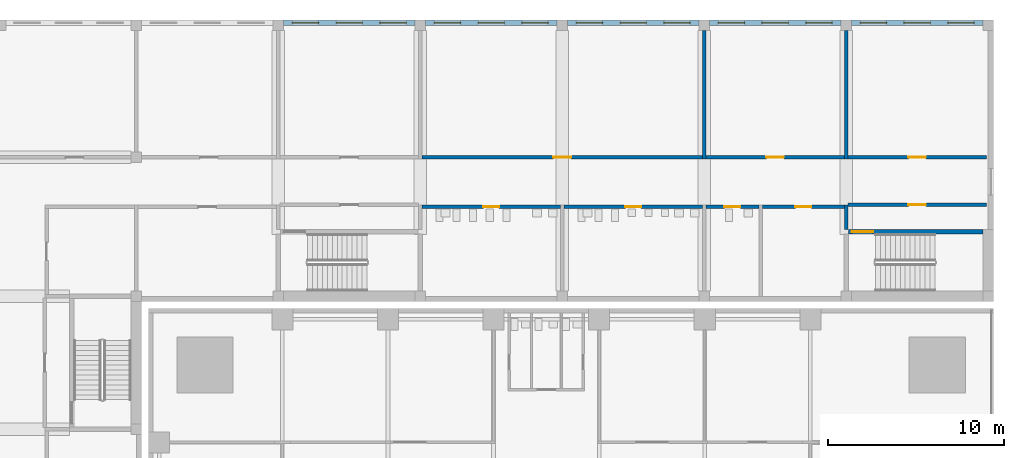
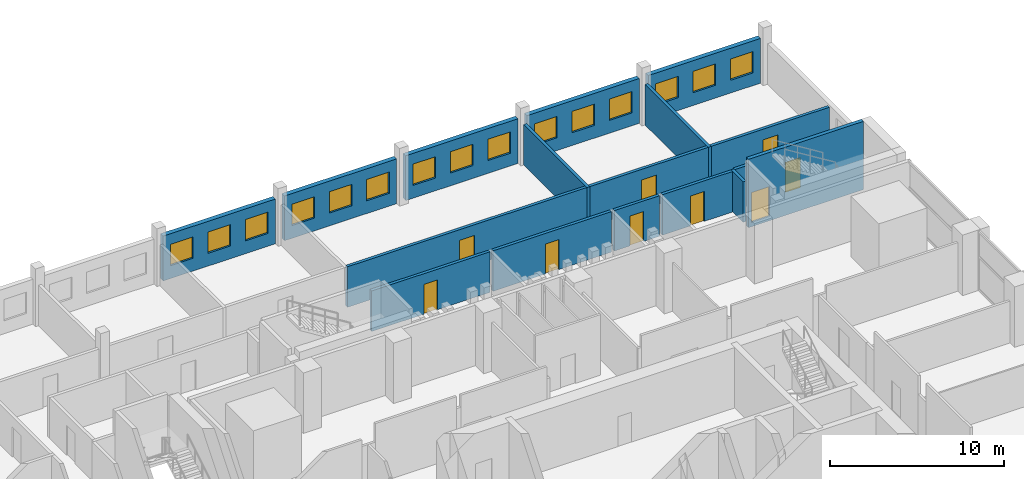
# One storey, part 17 of 24: 17 walls, 15 windows, 9 doors, 24 openings.
"""IFC4 building model written with IfcOpenShell, lengths in metres."""

from ifc_helpers import new_model, si_unit, direction, frame, frame_2d, origin, place, context, subcontext, project, spatial, rectangle, extrude, material, layer, layer_set, type_object, element, fill, save


model = new_model("IFC4")

# Units and contexts
model_context = context("Model", 3, precision=1e-05, world=origin(), true_north=direction((0.0, 1.0)))
body_context = subcontext(model_context, "Body", "Model", "MODEL_VIEW")
ifc_project = project(units=[si_unit("LENGTHUNIT", "METRE"), si_unit("AREAUNIT", "SQUARE_METRE"), si_unit("VOLUMEUNIT", "CUBIC_METRE"), si_unit("PLANEANGLEUNIT", "RADIAN"), si_unit("MASSUNIT", "GRAM", prefix="KILO")], contexts=[model_context])

# Site, building, storey
site_placement = place(None, origin())
site = spatial("IfcSite", under=ifc_project, at=site_placement, CompositionType="ELEMENT")
building_placement = place(site_placement, origin())
building = spatial("IfcBuilding", under=site, at=building_placement, Name="Amberfall Residences", CompositionType="ELEMENT")
storey_placement = place(building_placement, frame((0.0, 0.0, 19.0)))
storey = spatial("IfcBuildingStorey", under=building, at=storey_placement, Name="L04", CompositionType="ELEMENT", Elevation=19.0)

# Wall, openings, windows
ifc_material_1 = material(Name="Aerated block wall")
ifc_layer_1 = layer(ifc_material_1, 0.300048828125)
ifc_layer_set_1 = layer_set([ifc_layer_1], Name="School external wall 300")
wall_type_1 = type_object("IfcWallType", Name="School external wall 300", PredefinedType="SOLIDWALL", material=ifc_layer_set_1)
wall_1_placement = place(storey_placement, frame((59.6669921875, 84.25, 0.0), z_axis=(0.0, 0.0, 1.0), x_axis=(1.0, 0.0, 0.0)))
wall_1 = element("IfcWall", 1, at=wall_1_placement, inside=storey, type_object=wall_type_1, Name="School external wall L04 EN3", PredefinedType="SOLIDWALL", context=body_context, shape_type="SweptSolid", body=[
    extrude(rectangle(XDim=7.466064453125, YDim=0.300048828125, at=frame_2d((3.73291015625, 0.0))), origin(), (0.0, 0.0, 1.0), 3.14990234375),
])
opening_1_placement = place(wall_1_placement, frame((0.494384765625, 0.0, 0.89990234375)))
opening_1 = element("IfcOpeningElement", 2, at=opening_1_placement, cuts=wall_1, Name="Opening SWN1", PredefinedType="OPENING", context=body_context, shape_type="SweptSolid", body=[
    extrude(rectangle(XDim=1.5, YDim=1.5, at=frame_2d((0.75, 0.75))), frame((0.0, 0.159912109375, 0.0), z_axis=(0.0, -1.0, 0.0), x_axis=(1.0, 0.0, 0.0)), (0.0, 0.0, 1.0), 0.320068359375),
])
opening_2_placement = place(wall_1_placement, frame((2.98291015625, 0.0, 0.89990234375)))
opening_2 = element("IfcOpeningElement", 3, at=opening_2_placement, cuts=wall_1, Name="Opening SWN1", PredefinedType="OPENING", context=body_context, shape_type="SweptSolid", body=[
    extrude(rectangle(XDim=1.5, YDim=1.5, at=frame_2d((0.75, 0.75))), frame((0.0, 0.159912109375, 0.0), z_axis=(0.0, -1.0, 0.0), x_axis=(1.0, 0.0, 0.0)), (0.0, 0.0, 1.0), 0.320068359375),
])
opening_3_placement = place(wall_1_placement, frame((5.4716796875, 0.0, 0.89990234375)))
opening_3 = element("IfcOpeningElement", 4, at=opening_3_placement, cuts=wall_1, Name="Opening SWN1", PredefinedType="OPENING", context=body_context, shape_type="SweptSolid", body=[
    extrude(rectangle(XDim=1.5, YDim=1.5, at=frame_2d((0.75, 0.75))), frame((0.0, 0.159912109375, 0.0), z_axis=(0.0, -1.0, 0.0), x_axis=(1.0, 0.0, 0.0)), (0.0, 0.0, 1.0), 0.320068359375),
])
ifc_material_2 = material(Name="Aluminium window", Category="aluminium")
window_type = type_object("IfcWindowType", Name="School window 1500 x 1500", PartitioningType="DOUBLE_PANEL_HORIZONTAL", PredefinedType="WINDOW", material=ifc_material_2)
window_1_placement = place(opening_1_placement, origin())
window_1 = element("IfcWindow", 5, at=window_1_placement, inside=storey, type_object=window_type, Name="School window L04 EN3-1", OverallHeight=1.5, OverallWidth=1.5, PartitioningType="DOUBLE_PANEL_HORIZONTAL", PredefinedType="WINDOW", context=body_context, shape_type="SweptSolid", body=[
    extrude(rectangle(XDim=1.5, YDim=1.5, at=frame_2d((0.75, 0.75))), frame((0.0, 0.030029296875, 0.0), z_axis=(0.0, -1.0, 0.0), x_axis=(1.0, 0.0, 0.0)), (0.0, 0.0, 1.0), 0.06005859375),
])
fill(opening_1, window_1)
window_2_placement = place(opening_2_placement, origin())
window_2 = element("IfcWindow", 6, at=window_2_placement, inside=storey, type_object=window_type, Name="School window L04 EN3-2", OverallHeight=1.5, OverallWidth=1.5, PartitioningType="DOUBLE_PANEL_HORIZONTAL", PredefinedType="WINDOW", context=body_context, shape_type="SweptSolid", body=[
    extrude(rectangle(XDim=1.5, YDim=1.5, at=frame_2d((0.75, 0.75))), frame((0.0, 0.030029296875, 0.0), z_axis=(0.0, -1.0, 0.0), x_axis=(1.0, 0.0, 0.0)), (0.0, 0.0, 1.0), 0.06005859375),
])
fill(opening_2, window_2)
window_3_placement = place(opening_3_placement, origin())
window_3 = element("IfcWindow", 7, at=window_3_placement, inside=storey, type_object=window_type, Name="School window L04 EN3-3", OverallHeight=1.5, OverallWidth=1.5, PartitioningType="DOUBLE_PANEL_HORIZONTAL", PredefinedType="WINDOW", context=body_context, shape_type="SweptSolid", body=[
    extrude(rectangle(XDim=1.5, YDim=1.5, at=frame_2d((0.75, 0.75))), frame((0.0, 0.030029296875, 0.0), z_axis=(0.0, -1.0, 0.0), x_axis=(1.0, 0.0, 0.0)), (0.0, 0.0, 1.0), 0.06005859375),
])
fill(opening_3, window_3)

wall_2_placement = place(storey_placement, frame((67.73291015625, 84.25, 0.0), z_axis=(0.0, 0.0, 1.0), x_axis=(1.0, 0.0, 0.0)))
wall_2 = element("IfcWall", 8, at=wall_2_placement, inside=storey, type_object=wall_type_1, Name="School external wall L04 EN4", PredefinedType="SOLIDWALL", context=body_context, shape_type="SweptSolid", body=[
    extrude(rectangle(XDim=7.467041015625, YDim=0.300048828125, at=frame_2d((3.7333984375, 0.0))), origin(), (0.0, 0.0, 1.0), 3.14990234375),
])
opening_4_placement = place(wall_2_placement, frame((0.494384765625, 0.0, 0.89990234375)))
opening_4 = element("IfcOpeningElement", 9, at=opening_4_placement, cuts=wall_2, Name="Opening SWN1", PredefinedType="OPENING", context=body_context, shape_type="SweptSolid", body=[
    extrude(rectangle(XDim=1.5, YDim=1.5, at=frame_2d((0.75, 0.75))), frame((0.0, 0.159912109375, 0.0), z_axis=(0.0, -1.0, 0.0), x_axis=(1.0, 0.0, 0.0)), (0.0, 0.0, 1.0), 0.320068359375),
])
opening_5_placement = place(wall_2_placement, frame((2.9833984375, 0.0, 0.89990234375)))
opening_5 = element("IfcOpeningElement", 10, at=opening_5_placement, cuts=wall_2, Name="Opening SWN1", PredefinedType="OPENING", context=body_context, shape_type="SweptSolid", body=[
    extrude(rectangle(XDim=1.5, YDim=1.5, at=frame_2d((0.75, 0.75))), frame((0.0, 0.159912109375, 0.0), z_axis=(0.0, -1.0, 0.0), x_axis=(1.0, 0.0, 0.0)), (0.0, 0.0, 1.0), 0.320068359375),
])
opening_6_placement = place(wall_2_placement, frame((5.472412109375, 0.0, 0.89990234375)))
opening_6 = element("IfcOpeningElement", 11, at=opening_6_placement, cuts=wall_2, Name="Opening SWN1", PredefinedType="OPENING", context=body_context, shape_type="SweptSolid", body=[
    extrude(rectangle(XDim=1.5, YDim=1.5, at=frame_2d((0.75, 0.75))), frame((0.0, 0.159912109375, 0.0), z_axis=(0.0, -1.0, 0.0), x_axis=(1.0, 0.0, 0.0)), (0.0, 0.0, 1.0), 0.320068359375),
])
window_4_placement = place(opening_4_placement, origin())
window_4 = element("IfcWindow", 12, at=window_4_placement, inside=storey, type_object=window_type, Name="School window L04 EN4-1", OverallHeight=1.5, OverallWidth=1.5, PartitioningType="DOUBLE_PANEL_HORIZONTAL", PredefinedType="WINDOW", context=body_context, shape_type="SweptSolid", body=[
    extrude(rectangle(XDim=1.5, YDim=1.5, at=frame_2d((0.75, 0.75))), frame((0.0, 0.030029296875, 0.0), z_axis=(0.0, -1.0, 0.0), x_axis=(1.0, 0.0, 0.0)), (0.0, 0.0, 1.0), 0.06005859375),
])
fill(opening_4, window_4)
window_5_placement = place(opening_5_placement, origin())
window_5 = element("IfcWindow", 13, at=window_5_placement, inside=storey, type_object=window_type, Name="School window L04 EN4-2", OverallHeight=1.5, OverallWidth=1.5, PartitioningType="DOUBLE_PANEL_HORIZONTAL", PredefinedType="WINDOW", context=body_context, shape_type="SweptSolid", body=[
    extrude(rectangle(XDim=1.5, YDim=1.5, at=frame_2d((0.75, 0.75))), frame((0.0, 0.030029296875, 0.0), z_axis=(0.0, -1.0, 0.0), x_axis=(1.0, 0.0, 0.0)), (0.0, 0.0, 1.0), 0.06005859375),
])
fill(opening_5, window_5)
window_6_placement = place(opening_6_placement, origin())
window_6 = element("IfcWindow", 14, at=window_6_placement, inside=storey, type_object=window_type, Name="School window L04 EN4-3", OverallHeight=1.5, OverallWidth=1.5, PartitioningType="DOUBLE_PANEL_HORIZONTAL", PredefinedType="WINDOW", context=body_context, shape_type="SweptSolid", body=[
    extrude(rectangle(XDim=1.5, YDim=1.5, at=frame_2d((0.75, 0.75))), frame((0.0, 0.030029296875, 0.0), z_axis=(0.0, -1.0, 0.0), x_axis=(1.0, 0.0, 0.0)), (0.0, 0.0, 1.0), 0.06005859375),
])
fill(opening_6, window_6)

wall_3_placement = place(storey_placement, frame((75.800048828125, 84.25, 0.0), z_axis=(0.0, 0.0, 1.0), x_axis=(1.0, 0.0, 0.0)))
wall_3 = element("IfcWall", 15, at=wall_3_placement, inside=storey, type_object=wall_type_1, Name="School external wall L04 EN5", PredefinedType="SOLIDWALL", context=body_context, shape_type="SweptSolid", body=[
    extrude(rectangle(XDim=7.467041015625, YDim=0.300048828125, at=frame_2d((3.7333984375, 0.0))), origin(), (0.0, 0.0, 1.0), 3.14990234375),
])
opening_7_placement = place(wall_3_placement, frame((0.494384765625, 0.0, 0.89990234375)))
opening_7 = element("IfcOpeningElement", 16, at=opening_7_placement, cuts=wall_3, Name="Opening SWN1", PredefinedType="OPENING", context=body_context, shape_type="SweptSolid", body=[
    extrude(rectangle(XDim=1.5, YDim=1.5, at=frame_2d((0.75, 0.75))), frame((0.0, 0.159912109375, 0.0), z_axis=(0.0, -1.0, 0.0), x_axis=(1.0, 0.0, 0.0)), (0.0, 0.0, 1.0), 0.320068359375),
])
opening_8_placement = place(wall_3_placement, frame((2.9833984375, 0.0, 0.89990234375)))
opening_8 = element("IfcOpeningElement", 17, at=opening_8_placement, cuts=wall_3, Name="Opening SWN1", PredefinedType="OPENING", context=body_context, shape_type="SweptSolid", body=[
    extrude(rectangle(XDim=1.5, YDim=1.5, at=frame_2d((0.75, 0.75))), frame((0.0, 0.159912109375, 0.0), z_axis=(0.0, -1.0, 0.0), x_axis=(1.0, 0.0, 0.0)), (0.0, 0.0, 1.0), 0.320068359375),
])
opening_9_placement = place(wall_3_placement, frame((5.472412109375, 0.0, 0.89990234375)))
opening_9 = element("IfcOpeningElement", 18, at=opening_9_placement, cuts=wall_3, Name="Opening SWN1", PredefinedType="OPENING", context=body_context, shape_type="SweptSolid", body=[
    extrude(rectangle(XDim=1.5, YDim=1.5, at=frame_2d((0.75, 0.75))), frame((0.0, 0.159912109375, 0.0), z_axis=(0.0, -1.0, 0.0), x_axis=(1.0, 0.0, 0.0)), (0.0, 0.0, 1.0), 0.320068359375),
])
window_7_placement = place(opening_7_placement, origin())
window_7 = element("IfcWindow", 19, at=window_7_placement, inside=storey, type_object=window_type, Name="School window L04 EN5-1", OverallHeight=1.5, OverallWidth=1.5, PartitioningType="DOUBLE_PANEL_HORIZONTAL", PredefinedType="WINDOW", context=body_context, shape_type="SweptSolid", body=[
    extrude(rectangle(XDim=1.5, YDim=1.5, at=frame_2d((0.75, 0.75))), frame((0.0, 0.030029296875, 0.0), z_axis=(0.0, -1.0, 0.0), x_axis=(1.0, 0.0, 0.0)), (0.0, 0.0, 1.0), 0.06005859375),
])
fill(opening_7, window_7)
window_8_placement = place(opening_8_placement, origin())
window_8 = element("IfcWindow", 20, at=window_8_placement, inside=storey, type_object=window_type, Name="School window L04 EN5-2", OverallHeight=1.5, OverallWidth=1.5, PartitioningType="DOUBLE_PANEL_HORIZONTAL", PredefinedType="WINDOW", context=body_context, shape_type="SweptSolid", body=[
    extrude(rectangle(XDim=1.5, YDim=1.5, at=frame_2d((0.75, 0.75))), frame((0.0, 0.030029296875, 0.0), z_axis=(0.0, -1.0, 0.0), x_axis=(1.0, 0.0, 0.0)), (0.0, 0.0, 1.0), 0.06005859375),
])
fill(opening_8, window_8)
window_9_placement = place(opening_9_placement, origin())
window_9 = element("IfcWindow", 21, at=window_9_placement, inside=storey, type_object=window_type, Name="School window L04 EN5-3", OverallHeight=1.5, OverallWidth=1.5, PartitioningType="DOUBLE_PANEL_HORIZONTAL", PredefinedType="WINDOW", context=body_context, shape_type="SweptSolid", body=[
    extrude(rectangle(XDim=1.5, YDim=1.5, at=frame_2d((0.75, 0.75))), frame((0.0, 0.030029296875, 0.0), z_axis=(0.0, -1.0, 0.0), x_axis=(1.0, 0.0, 0.0)), (0.0, 0.0, 1.0), 0.06005859375),
])
fill(opening_9, window_9)

wall_4_placement = place(storey_placement, frame((83.866943359375, 84.25, 0.0), z_axis=(0.0, 0.0, 1.0), x_axis=(1.0, 0.0, 0.0)))
wall_4 = element("IfcWall", 22, at=wall_4_placement, inside=storey, type_object=wall_type_1, Name="School external wall L04 EN6", PredefinedType="SOLIDWALL", context=body_context, shape_type="SweptSolid", body=[
    extrude(rectangle(XDim=7.466064453125, YDim=0.300048828125, at=frame_2d((3.73291015625, 0.0))), origin(), (0.0, 0.0, 1.0), 3.14990234375),
])
opening_10_placement = place(wall_4_placement, frame((0.494384765625, 0.0, 0.89990234375)))
opening_10 = element("IfcOpeningElement", 23, at=opening_10_placement, cuts=wall_4, Name="Opening SWN1", PredefinedType="OPENING", context=body_context, shape_type="SweptSolid", body=[
    extrude(rectangle(XDim=1.5, YDim=1.5, at=frame_2d((0.75, 0.75))), frame((0.0, 0.159912109375, 0.0), z_axis=(0.0, -1.0, 0.0), x_axis=(1.0, 0.0, 0.0)), (0.0, 0.0, 1.0), 0.320068359375),
])
opening_11_placement = place(wall_4_placement, frame((2.98291015625, 0.0, 0.89990234375)))
opening_11 = element("IfcOpeningElement", 24, at=opening_11_placement, cuts=wall_4, Name="Opening SWN1", PredefinedType="OPENING", context=body_context, shape_type="SweptSolid", body=[
    extrude(rectangle(XDim=1.5, YDim=1.5, at=frame_2d((0.75, 0.75))), frame((0.0, 0.159912109375, 0.0), z_axis=(0.0, -1.0, 0.0), x_axis=(1.0, 0.0, 0.0)), (0.0, 0.0, 1.0), 0.320068359375),
])
opening_12_placement = place(wall_4_placement, frame((5.4716796875, 0.0, 0.89990234375)))
opening_12 = element("IfcOpeningElement", 25, at=opening_12_placement, cuts=wall_4, Name="Opening SWN1", PredefinedType="OPENING", context=body_context, shape_type="SweptSolid", body=[
    extrude(rectangle(XDim=1.5, YDim=1.5, at=frame_2d((0.75, 0.75))), frame((0.0, 0.159912109375, 0.0), z_axis=(0.0, -1.0, 0.0), x_axis=(1.0, 0.0, 0.0)), (0.0, 0.0, 1.0), 0.320068359375),
])
window_10_placement = place(opening_10_placement, origin())
window_10 = element("IfcWindow", 26, at=window_10_placement, inside=storey, type_object=window_type, Name="School window L04 EN6-1", OverallHeight=1.5, OverallWidth=1.5, PartitioningType="DOUBLE_PANEL_HORIZONTAL", PredefinedType="WINDOW", context=body_context, shape_type="SweptSolid", body=[
    extrude(rectangle(XDim=1.5, YDim=1.5, at=frame_2d((0.75, 0.75))), frame((0.0, 0.030029296875, 0.0), z_axis=(0.0, -1.0, 0.0), x_axis=(1.0, 0.0, 0.0)), (0.0, 0.0, 1.0), 0.06005859375),
])
fill(opening_10, window_10)
window_11_placement = place(opening_11_placement, origin())
window_11 = element("IfcWindow", 27, at=window_11_placement, inside=storey, type_object=window_type, Name="School window L04 EN6-2", OverallHeight=1.5, OverallWidth=1.5, PartitioningType="DOUBLE_PANEL_HORIZONTAL", PredefinedType="WINDOW", context=body_context, shape_type="SweptSolid", body=[
    extrude(rectangle(XDim=1.5, YDim=1.5, at=frame_2d((0.75, 0.75))), frame((0.0, 0.030029296875, 0.0), z_axis=(0.0, -1.0, 0.0), x_axis=(1.0, 0.0, 0.0)), (0.0, 0.0, 1.0), 0.06005859375),
])
fill(opening_11, window_11)
window_12_placement = place(opening_12_placement, origin())
window_12 = element("IfcWindow", 28, at=window_12_placement, inside=storey, type_object=window_type, Name="School window L04 EN6-3", OverallHeight=1.5, OverallWidth=1.5, PartitioningType="DOUBLE_PANEL_HORIZONTAL", PredefinedType="WINDOW", context=body_context, shape_type="SweptSolid", body=[
    extrude(rectangle(XDim=1.5, YDim=1.5, at=frame_2d((0.75, 0.75))), frame((0.0, 0.030029296875, 0.0), z_axis=(0.0, -1.0, 0.0), x_axis=(1.0, 0.0, 0.0)), (0.0, 0.0, 1.0), 0.06005859375),
])
fill(opening_12, window_12)

wall_5_placement = place(storey_placement, frame((91.93310546875, 84.25, 0.0), z_axis=(0.0, 0.0, 1.0), x_axis=(1.0, 0.0, 0.0)))
wall_5 = element("IfcWall", 29, at=wall_5_placement, inside=storey, type_object=wall_type_1, Name="School external wall L04 EN7", PredefinedType="SOLIDWALL", context=body_context, shape_type="SweptSolid", body=[
    extrude(rectangle(XDim=7.466796875, YDim=0.300048828125, at=frame_2d((3.7333984375, 0.0))), origin(), (0.0, 0.0, 1.0), 3.14990234375),
])
opening_13_placement = place(wall_5_placement, frame((0.494384765625, 0.0, 0.89990234375)))
opening_13 = element("IfcOpeningElement", 30, at=opening_13_placement, cuts=wall_5, Name="Opening SWN1", PredefinedType="OPENING", context=body_context, shape_type="SweptSolid", body=[
    extrude(rectangle(XDim=1.5, YDim=1.5, at=frame_2d((0.75, 0.75))), frame((0.0, 0.159912109375, 0.0), z_axis=(0.0, -1.0, 0.0), x_axis=(1.0, 0.0, 0.0)), (0.0, 0.0, 1.0), 0.320068359375),
])
opening_14_placement = place(wall_5_placement, frame((2.9833984375, 0.0, 0.89990234375)))
opening_14 = element("IfcOpeningElement", 31, at=opening_14_placement, cuts=wall_5, Name="Opening SWN1", PredefinedType="OPENING", context=body_context, shape_type="SweptSolid", body=[
    extrude(rectangle(XDim=1.5, YDim=1.5, at=frame_2d((0.75, 0.75))), frame((0.0, 0.159912109375, 0.0), z_axis=(0.0, -1.0, 0.0), x_axis=(1.0, 0.0, 0.0)), (0.0, 0.0, 1.0), 0.320068359375),
])
opening_15_placement = place(wall_5_placement, frame((5.472412109375, 0.0, 0.89990234375)))
opening_15 = element("IfcOpeningElement", 32, at=opening_15_placement, cuts=wall_5, Name="Opening SWN1", PredefinedType="OPENING", context=body_context, shape_type="SweptSolid", body=[
    extrude(rectangle(XDim=1.5, YDim=1.5, at=frame_2d((0.75, 0.75))), frame((0.0, 0.159912109375, 0.0), z_axis=(0.0, -1.0, 0.0), x_axis=(1.0, 0.0, 0.0)), (0.0, 0.0, 1.0), 0.320068359375),
])
window_13_placement = place(opening_13_placement, origin())
window_13 = element("IfcWindow", 33, at=window_13_placement, inside=storey, type_object=window_type, Name="School window L04 EN7-1", OverallHeight=1.5, OverallWidth=1.5, PartitioningType="DOUBLE_PANEL_HORIZONTAL", PredefinedType="WINDOW", context=body_context, shape_type="SweptSolid", body=[
    extrude(rectangle(XDim=1.5, YDim=1.5, at=frame_2d((0.75, 0.75))), frame((0.0, 0.030029296875, 0.0), z_axis=(0.0, -1.0, 0.0), x_axis=(1.0, 0.0, 0.0)), (0.0, 0.0, 1.0), 0.06005859375),
])
fill(opening_13, window_13)
window_14_placement = place(opening_14_placement, origin())
window_14 = element("IfcWindow", 34, at=window_14_placement, inside=storey, type_object=window_type, Name="School window L04 EN7-2", OverallHeight=1.5, OverallWidth=1.5, PartitioningType="DOUBLE_PANEL_HORIZONTAL", PredefinedType="WINDOW", context=body_context, shape_type="SweptSolid", body=[
    extrude(rectangle(XDim=1.5, YDim=1.5, at=frame_2d((0.75, 0.75))), frame((0.0, 0.030029296875, 0.0), z_axis=(0.0, -1.0, 0.0), x_axis=(1.0, 0.0, 0.0)), (0.0, 0.0, 1.0), 0.06005859375),
])
fill(opening_14, window_14)
window_15_placement = place(opening_15_placement, origin())
window_15 = element("IfcWindow", 35, at=window_15_placement, inside=storey, type_object=window_type, Name="School window L04 EN7-3", OverallHeight=1.5, OverallWidth=1.5, PartitioningType="DOUBLE_PANEL_HORIZONTAL", PredefinedType="WINDOW", context=body_context, shape_type="SweptSolid", body=[
    extrude(rectangle(XDim=1.5, YDim=1.5, at=frame_2d((0.75, 0.75))), frame((0.0, 0.030029296875, 0.0), z_axis=(0.0, -1.0, 0.0), x_axis=(1.0, 0.0, 0.0)), (0.0, 0.0, 1.0), 0.06005859375),
])
fill(opening_15, window_15)

# Wall, opening, door
ifc_layer_2 = layer(ifc_material_1, 0.199951171875)
ifc_layer_set_2 = layer_set([ifc_layer_2], Name="School partition 200")
wall_type_2 = type_object("IfcWallType", Name="School partition 200", PredefinedType="PARTITIONING", material=ifc_layer_set_2)
wall_6_placement = place(storey_placement, frame((67.532958984375, 76.60009765625, 0.0), z_axis=(0.0, 0.0, 1.0), x_axis=(1.0, 0.0, 0.0)))
wall_6 = element("IfcWall", 36, at=wall_6_placement, inside=storey, type_object=wall_type_2, Name="School partition L04 CWN268", PredefinedType="PARTITIONING", context=body_context, shape_type="SweptSolid", body=[
    extrude(rectangle(XDim=15.93408203125, YDim=0.199951171875, at=frame_2d((7.967041015625, 0.0))), origin(), (0.0, 0.0, 1.0), 2.85009765625),
])
opening_16_placement = place(wall_6_placement, frame((7.467041015625, 0.0, 0.0)))
opening_16 = element("IfcOpeningElement", 37, at=opening_16_placement, cuts=wall_6, Name="Opening SD5", PredefinedType="OPENING", context=body_context, shape_type="SweptSolid", body=[
    extrude(rectangle(XDim=1.0, YDim=2.10009765625, at=frame_2d((0.5, 1.050048828125))), frame((0.0, 0.10986328125, 0.0), z_axis=(0.0, -1.0, 0.0), x_axis=(1.0, 0.0, 0.0)), (0.0, 0.0, 1.0), 0.219970703125),
])
ifc_material_3 = material(Name="Timber door", Category="wood")
door_type_1 = type_object("IfcDoorType", Name="School classroom door 1000 x 2100", OperationType="SINGLE_SWING_LEFT", PredefinedType="DOOR", material=ifc_material_3)
door_1_placement = place(opening_16_placement, origin())
door_1 = element("IfcDoor", 38, at=door_1_placement, inside=storey, type_object=door_type_1, Name="School door L04 CWN268-1", OperationType="SINGLE_SWING_LEFT", OverallHeight=2.10009765625, OverallWidth=1.0, PredefinedType="DOOR", context=body_context, shape_type="SweptSolid", body=[
    extrude(rectangle(XDim=1.0, YDim=2.10009765625, at=frame_2d((0.5, 1.050048828125))), frame((0.0, 0.02490234375, 0.0), z_axis=(0.0, -1.0, 0.0), x_axis=(1.0, 0.0, 0.0)), (0.0, 0.0, 1.0), 0.050048828125),
])
fill(opening_16, door_1)

wall_7_placement = place(storey_placement, frame((83.6669921875, 76.60009765625, 0.0), z_axis=(0.0, 0.0, 1.0), x_axis=(1.0, 0.0, 0.0)))
wall_7 = element("IfcWall", 39, at=wall_7_placement, inside=storey, type_object=wall_type_2, Name="School partition L04 CWN484", PredefinedType="PARTITIONING", context=body_context, shape_type="SweptSolid", body=[
    extrude(rectangle(XDim=7.865966796875, YDim=0.199951171875, at=frame_2d((3.93310546875, 0.0))), origin(), (0.0, 0.0, 1.0), 2.85009765625),
])
opening_17_placement = place(wall_7_placement, frame((3.43310546875, 0.0, 0.0)))
opening_17 = element("IfcOpeningElement", 40, at=opening_17_placement, cuts=wall_7, Name="Opening SD5", PredefinedType="OPENING", context=body_context, shape_type="SweptSolid", body=[
    extrude(rectangle(XDim=1.0, YDim=2.10009765625, at=frame_2d((0.5, 1.050048828125))), frame((0.0, 0.10986328125, 0.0), z_axis=(0.0, -1.0, 0.0), x_axis=(1.0, 0.0, 0.0)), (0.0, 0.0, 1.0), 0.219970703125),
])
door_2_placement = place(opening_17_placement, origin())
door_2 = element("IfcDoor", 41, at=door_2_placement, inside=storey, type_object=door_type_1, Name="School door L04 CWN484-1", OperationType="SINGLE_SWING_LEFT", OverallHeight=2.10009765625, OverallWidth=1.0, PredefinedType="DOOR", context=body_context, shape_type="SweptSolid", body=[
    extrude(rectangle(XDim=1.0, YDim=2.10009765625, at=frame_2d((0.5, 1.050048828125))), frame((0.0, 0.02490234375, 0.0), z_axis=(0.0, -1.0, 0.0), x_axis=(1.0, 0.0, 0.0)), (0.0, 0.0, 1.0), 0.050048828125),
])
fill(opening_17, door_2)

wall_8_placement = place(storey_placement, frame((91.73291015625, 76.60009765625, 0.0), z_axis=(0.0, 0.0, 1.0), x_axis=(1.0, 0.0, 0.0)))
wall_8 = element("IfcWall", 42, at=wall_8_placement, inside=storey, type_object=wall_type_2, Name="School partition L04 CWN592", PredefinedType="PARTITIONING", context=body_context, shape_type="SweptSolid", body=[
    extrude(rectangle(XDim=7.8671875, YDim=0.199951171875, at=frame_2d((3.93359375, 0.0))), origin(), (0.0, 0.0, 1.0), 2.85009765625),
])
opening_18_placement = place(wall_8_placement, frame((3.43359375, 0.0, 0.0)))
opening_18 = element("IfcOpeningElement", 43, at=opening_18_placement, cuts=wall_8, Name="Opening SD5", PredefinedType="OPENING", context=body_context, shape_type="SweptSolid", body=[
    extrude(rectangle(XDim=1.0, YDim=2.10009765625, at=frame_2d((0.5, 1.050048828125))), frame((0.0, 0.10986328125, 0.0), z_axis=(0.0, -1.0, 0.0), x_axis=(1.0, 0.0, 0.0)), (0.0, 0.0, 1.0), 0.219970703125),
])
door_3_placement = place(opening_18_placement, origin())
door_3 = element("IfcDoor", 44, at=door_3_placement, inside=storey, type_object=door_type_1, Name="School door L04 CWN592-1", OperationType="SINGLE_SWING_LEFT", OverallHeight=2.10009765625, OverallWidth=1.0, PredefinedType="DOOR", context=body_context, shape_type="SweptSolid", body=[
    extrude(rectangle(XDim=1.0, YDim=2.10009765625, at=frame_2d((0.5, 1.050048828125))), frame((0.0, 0.02490234375, 0.0), z_axis=(0.0, -1.0, 0.0), x_axis=(1.0, 0.0, 0.0)), (0.0, 0.0, 1.0), 0.050048828125),
])
fill(opening_18, door_3)

# Walls
for number, where, z_axis, x_axis, name in (
    (45, (83.56689453125, 76.5, 0.0), (0.0, 0.0, 1.0), (0.0, 1.0, 0.0), "School partition L04 PN8357"),
    (46, (91.633056640625, 76.5, 0.0), (0.0, 0.0, 1.0), (0.0, 1.0, 0.0), "School partition L04 PN9163"),
):
    element("IfcWall", number, at=place(storey_placement, frame(where, z_axis=z_axis, x_axis=x_axis)), inside=storey, type_object=wall_type_2, Name=name, PredefinedType="PARTITIONING", context=body_context, shape_type="SweptSolid", body=[
        extrude(rectangle(XDim=7.300048828125, YDim=0.199951171875, at=frame_2d((3.64990234375, 0.0))), origin(), (0.0, 0.0, 1.0), 2.85009765625),
    ])

# Wall, opening, door
wall_9_placement = place(storey_placement, frame((67.532958984375, 73.800048828125, 0.0), z_axis=(0.0, 0.0, 1.0), x_axis=(1.0, 0.0, 0.0)))
wall_9 = element("IfcWall", 47, at=wall_9_placement, inside=storey, type_object=wall_type_2, Name="School partition L04 CWS68", PredefinedType="PARTITIONING", context=body_context, shape_type="SweptSolid", body=[
    extrude(rectangle(XDim=7.866943359375, YDim=0.199951171875, at=frame_2d((3.93359375, 0.0))), origin(), (0.0, 0.0, 1.0), 2.85009765625),
])
opening_19_placement = place(wall_9_placement, frame((3.4833984375, 0.0, 0.0)))
opening_19 = element("IfcOpeningElement", 48, at=opening_19_placement, cuts=wall_9, Name="Opening SD2", PredefinedType="OPENING", context=body_context, shape_type="SweptSolid", body=[
    extrude(rectangle(XDim=0.89990234375, YDim=2.10009765625, at=frame_2d((0.449951171875, 1.050048828125))), frame((0.0, 0.10986328125, 0.0), z_axis=(0.0, -1.0, 0.0), x_axis=(1.0, 0.0, 0.0)), (0.0, 0.0, 1.0), 0.219970703125),
])
door_type_2 = type_object("IfcDoorType", Name="School WC door 900 x 2100", OperationType="SINGLE_SWING_LEFT", PredefinedType="DOOR", material=ifc_material_3)
door_4_placement = place(opening_19_placement, origin())
door_4 = element("IfcDoor", 49, at=door_4_placement, inside=storey, type_object=door_type_2, Name="School door L04 CWS68-1", OperationType="SINGLE_SWING_LEFT", OverallHeight=2.10009765625, OverallWidth=0.89990234375, PredefinedType="DOOR", context=body_context, shape_type="SweptSolid", body=[
    extrude(rectangle(XDim=0.89990234375, YDim=2.10009765625, at=frame_2d((0.449951171875, 1.050048828125))), frame((0.0, 0.02490234375, 0.0), z_axis=(0.0, -1.0, 0.0), x_axis=(1.0, 0.0, 0.0)), (0.0, 0.0, 1.0), 0.050048828125),
])
fill(opening_19, door_4)

wall_10_placement = place(storey_placement, frame((75.60009765625, 73.800048828125, 0.0), z_axis=(0.0, 0.0, 1.0), x_axis=(1.0, 0.0, 0.0)))
wall_10 = element("IfcWall", 50, at=wall_10_placement, inside=storey, type_object=wall_type_2, Name="School partition L04 CWS76", PredefinedType="PARTITIONING", context=body_context, shape_type="SweptSolid", body=[
    extrude(rectangle(XDim=7.866943359375, YDim=0.199951171875, at=frame_2d((3.93359375, 0.0))), origin(), (0.0, 0.0, 1.0), 2.85009765625),
])
opening_20_placement = place(wall_10_placement, frame((3.4833984375, 0.0, 0.0)))
opening_20 = element("IfcOpeningElement", 51, at=opening_20_placement, cuts=wall_10, Name="Opening SD2", PredefinedType="OPENING", context=body_context, shape_type="SweptSolid", body=[
    extrude(rectangle(XDim=0.89990234375, YDim=2.10009765625, at=frame_2d((0.449951171875, 1.050048828125))), frame((0.0, 0.10986328125, 0.0), z_axis=(0.0, -1.0, 0.0), x_axis=(1.0, 0.0, 0.0)), (0.0, 0.0, 1.0), 0.219970703125),
])
door_5_placement = place(opening_20_placement, origin())
door_5 = element("IfcDoor", 52, at=door_5_placement, inside=storey, type_object=door_type_2, Name="School door L04 CWS76-1", OperationType="SINGLE_SWING_LEFT", OverallHeight=2.10009765625, OverallWidth=0.89990234375, PredefinedType="DOOR", context=body_context, shape_type="SweptSolid", body=[
    extrude(rectangle(XDim=0.89990234375, YDim=2.10009765625, at=frame_2d((0.449951171875, 1.050048828125))), frame((0.0, 0.02490234375, 0.0), z_axis=(0.0, -1.0, 0.0), x_axis=(1.0, 0.0, 0.0)), (0.0, 0.0, 1.0), 0.050048828125),
])
fill(opening_20, door_5)

wall_11_placement = place(storey_placement, frame((83.6669921875, 73.800048828125, 0.0), z_axis=(0.0, 0.0, 1.0), x_axis=(1.0, 0.0, 0.0)))
wall_11 = element("IfcWall", 53, at=wall_11_placement, inside=storey, type_object=wall_type_2, Name="School partition L04 CWS84", PredefinedType="PARTITIONING", context=body_context, shape_type="SweptSolid", body=[
    extrude(rectangle(XDim=3.0, YDim=0.199951171875, at=frame_2d((1.5, 0.0))), origin(), (0.0, 0.0, 1.0), 2.85009765625),
])
opening_21_placement = place(wall_11_placement, frame((1.050048828125, 0.0, 0.0)))
opening_21 = element("IfcOpeningElement", 54, at=opening_21_placement, cuts=wall_11, Name="Opening SD2", PredefinedType="OPENING", context=body_context, shape_type="SweptSolid", body=[
    extrude(rectangle(XDim=0.89990234375, YDim=2.10009765625, at=frame_2d((0.449951171875, 1.050048828125))), frame((0.0, 0.10986328125, 0.0), z_axis=(0.0, -1.0, 0.0), x_axis=(1.0, 0.0, 0.0)), (0.0, 0.0, 1.0), 0.219970703125),
])
door_6_placement = place(opening_21_placement, origin())
door_6 = element("IfcDoor", 55, at=door_6_placement, inside=storey, type_object=door_type_2, Name="School door L04 CWS84-1", OperationType="SINGLE_SWING_LEFT", OverallHeight=2.10009765625, OverallWidth=0.89990234375, PredefinedType="DOOR", context=body_context, shape_type="SweptSolid", body=[
    extrude(rectangle(XDim=0.89990234375, YDim=2.10009765625, at=frame_2d((0.449951171875, 1.050048828125))), frame((0.0, 0.02490234375, 0.0), z_axis=(0.0, -1.0, 0.0), x_axis=(1.0, 0.0, 0.0)), (0.0, 0.0, 1.0), 0.050048828125),
])
fill(opening_21, door_6)

wall_12_placement = place(storey_placement, frame((86.866943359375, 73.800048828125, 0.0), z_axis=(0.0, 0.0, 1.0), x_axis=(1.0, 0.0, 0.0)))
wall_12 = element("IfcWall", 56, at=wall_12_placement, inside=storey, type_object=wall_type_2, Name="School partition L04 CWS87", PredefinedType="PARTITIONING", context=body_context, shape_type="SweptSolid", body=[
    extrude(rectangle(XDim=4.666015625, YDim=0.199951171875, at=frame_2d((2.3330078125, 0.0))), origin(), (0.0, 0.0, 1.0), 2.85009765625),
])
opening_22_placement = place(wall_12_placement, frame((1.883056640625, 0.0, 0.0)))
opening_22 = element("IfcOpeningElement", 57, at=opening_22_placement, cuts=wall_12, Name="Opening SD2", PredefinedType="OPENING", context=body_context, shape_type="SweptSolid", body=[
    extrude(rectangle(XDim=0.89990234375, YDim=2.10009765625, at=frame_2d((0.449951171875, 1.050048828125))), frame((0.0, 0.10986328125, 0.0), z_axis=(0.0, -1.0, 0.0), x_axis=(1.0, 0.0, 0.0)), (0.0, 0.0, 1.0), 0.219970703125),
])
door_7_placement = place(opening_22_placement, origin())
door_7 = element("IfcDoor", 58, at=door_7_placement, inside=storey, type_object=door_type_2, Name="School door L04 CWS87-1", OperationType="SINGLE_SWING_LEFT", OverallHeight=2.10009765625, OverallWidth=0.89990234375, PredefinedType="DOOR", context=body_context, shape_type="SweptSolid", body=[
    extrude(rectangle(XDim=0.89990234375, YDim=2.10009765625, at=frame_2d((0.449951171875, 1.050048828125))), frame((0.0, 0.02490234375, 0.0), z_axis=(0.0, -1.0, 0.0), x_axis=(1.0, 0.0, 0.0)), (0.0, 0.0, 1.0), 0.050048828125),
])
fill(opening_22, door_7)

# Wall
wall_13_placement = place(storey_placement, frame((91.633056640625, 72.5, 0.0), z_axis=(0.0, 0.0, 1.0), x_axis=(0.0, 1.0, 0.0)))
element("IfcWall", 59, at=wall_13_placement, inside=storey, type_object=wall_type_2, Name="School partition L04 PSA5", PredefinedType="PARTITIONING", context=body_context, shape_type="SweptSolid", body=[
    extrude(rectangle(XDim=1.39990234375, YDim=0.199951171875, at=frame_2d((0.699951171875, 0.0))), origin(), (0.0, 0.0, 1.0), 2.85009765625),
])

# Wall, opening, door
wall_14_placement = place(storey_placement, frame((91.73291015625, 73.89990234375, 0.0), z_axis=(0.0, 0.0, 1.0), x_axis=(1.0, 0.0, 0.0)))
wall_14 = element("IfcWall", 60, at=wall_14_placement, inside=storey, type_object=wall_type_2, Name="School partition L04 CWLSS5", PredefinedType="PARTITIONING", context=body_context, shape_type="SweptSolid", body=[
    extrude(rectangle(XDim=7.8671875, YDim=0.199951171875, at=frame_2d((3.93359375, 0.0))), origin(), (0.0, 0.0, 1.0), 2.85009765625),
])
opening_23_placement = place(wall_14_placement, frame((3.43359375, 0.0, 0.0)))
opening_23 = element("IfcOpeningElement", 61, at=opening_23_placement, cuts=wall_14, Name="Opening SD8", PredefinedType="OPENING", context=body_context, shape_type="SweptSolid", body=[
    extrude(rectangle(XDim=1.0, YDim=2.10009765625, at=frame_2d((0.5, 1.050048828125))), frame((0.0, 0.10986328125, 0.0), z_axis=(0.0, -1.0, 0.0), x_axis=(1.0, 0.0, 0.0)), (0.0, 0.0, 1.0), 0.219970703125),
])
door_type_3 = type_object("IfcDoorType", Name="School lobby door 1000 x 2100", OperationType="SINGLE_SWING_LEFT", PredefinedType="DOOR", material=ifc_material_3)
door_8_placement = place(opening_23_placement, origin())
door_8 = element("IfcDoor", 62, at=door_8_placement, inside=storey, type_object=door_type_3, Name="School door L04 CWLSS5-1", OperationType="SINGLE_SWING_LEFT", OverallHeight=2.10009765625, OverallWidth=1.0, PredefinedType="DOOR", context=body_context, shape_type="SweptSolid", body=[
    extrude(rectangle(XDim=1.0, YDim=2.10009765625, at=frame_2d((0.5, 1.050048828125))), frame((0.0, 0.02490234375, 0.0), z_axis=(0.0, -1.0, 0.0), x_axis=(1.0, 0.0, 0.0)), (0.0, 0.0, 1.0), 0.050048828125),
])
fill(opening_23, door_8)

ifc_material_4 = material(Name="Concrete C50", Category="concrete")
ifc_layer_3 = layer(ifc_material_4, 0.25)
ifc_layer_set_3 = layer_set([ifc_layer_3], Name="School stair core wall 250 C50")
wall_type_3 = type_object("IfcWallType", Name="School stair core wall 250 C50", PredefinedType="SHEAR", material=ifc_layer_set_3)
wall_15_placement = place(storey_placement, frame((91.758056640625, 72.375, -0.300048828125), z_axis=(0.0, 0.0, 1.0), x_axis=(1.0, 0.0, 0.0)))
wall_15 = element("IfcWall", 63, at=wall_15_placement, inside=storey, type_object=wall_type_3, Name="School core wall L04 SS5N", PredefinedType="SHEAR", context=body_context, shape_type="SweptSolid", body=[
    extrude(rectangle(XDim=7.641845703125, YDim=0.25, at=frame_2d((3.82080078125, 0.0))), origin(), (0.0, 0.0, 1.0), 4.800048828125),
])
opening_24_placement = place(wall_15_placement, frame((0.199951171875, 0.0, 0.300048828125)))
opening_24 = element("IfcOpeningElement", 64, at=opening_24_placement, cuts=wall_15, Name="Opening SD4", PredefinedType="OPENING", context=body_context, shape_type="SweptSolid", body=[
    extrude(rectangle(XDim=1.199951171875, YDim=2.10009765625, at=frame_2d((0.60009765625, 1.050048828125))), frame((0.0, 0.135009765625, 0.0), z_axis=(0.0, -1.0, 0.0), x_axis=(1.0, 0.0, 0.0)), (0.0, 0.0, 1.0), 0.27001953125),
])
ifc_material_5 = material(Name="Steel fire door", Category="steel")
door_type_4 = type_object("IfcDoorType", Name="School stair door 1200 x 2100 FD120", OperationType="SINGLE_SWING_LEFT", PredefinedType="DOOR", material=ifc_material_5)
door_9_placement = place(opening_24_placement, origin())
door_9 = element("IfcDoor", 65, at=door_9_placement, inside=storey, type_object=door_type_4, Name="School stair door L04 SS5", OperationType="SINGLE_SWING_LEFT", OverallHeight=2.10009765625, OverallWidth=1.199951171875, PredefinedType="DOOR", context=body_context, shape_type="SweptSolid", body=[
    extrude(rectangle(XDim=1.199951171875, YDim=2.10009765625, at=frame_2d((0.60009765625, 1.050048828125))), frame((0.0, 0.02490234375, 0.0), z_axis=(0.0, -1.0, 0.0), x_axis=(1.0, 0.0, 0.0)), (0.0, 0.0, 1.0), 0.050048828125),
])
fill(opening_24, door_9)

save(model, "model.ifc")
